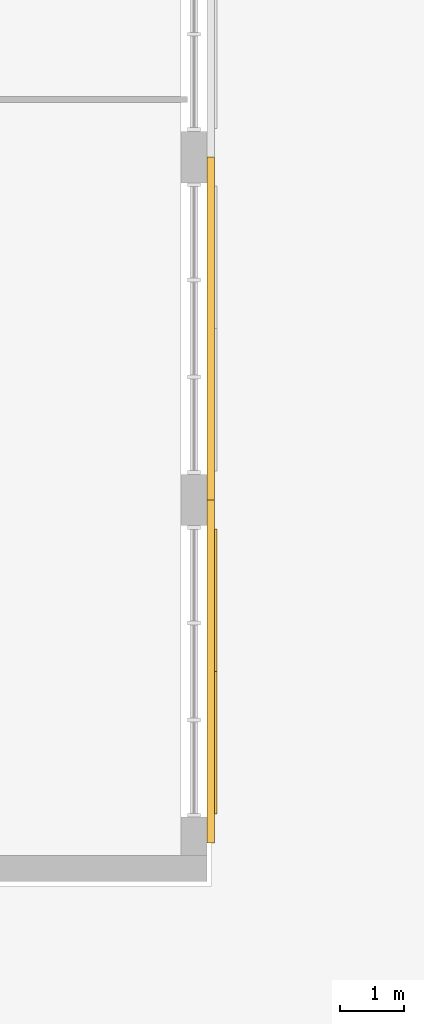
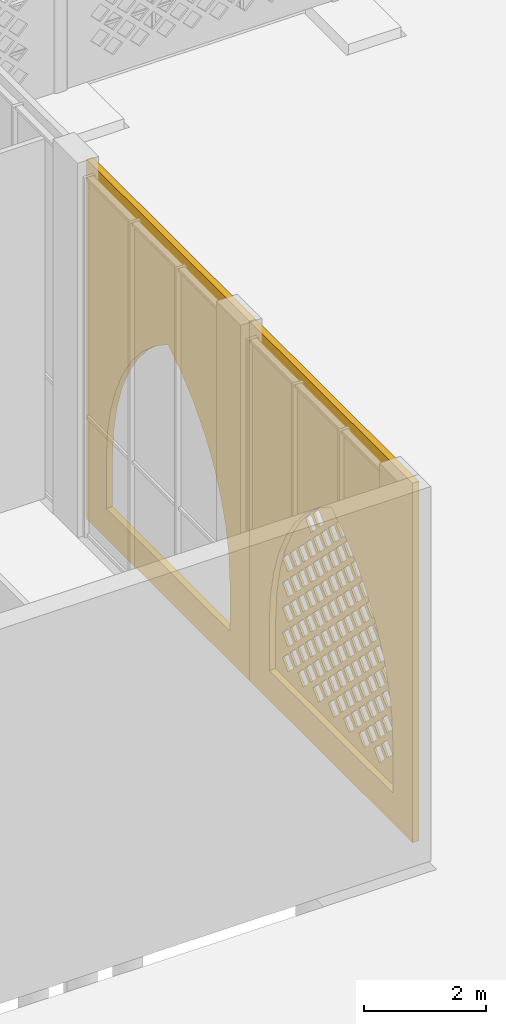
# One storey, part 56 of 79: 3 coverings.
"""IFC4 building model written with IfcOpenShell, lengths in metres."""

from ifc_helpers import new_model, si_unit, direction, frame, origin, place, context, subcontext, project, spatial, polyline, outline, extrude, material, layer, layer_set, type_object, element, save


model = new_model("IFC4")

# Units and contexts
model_context = context("Model", 3, precision=1e-05, world=origin(), true_north=direction((0.0, 1.0)))
body_context = subcontext(model_context, "Body", "Model", "MODEL_VIEW")
ifc_project = project(units=[si_unit("LENGTHUNIT", "METRE"), si_unit("AREAUNIT", "SQUARE_METRE"), si_unit("VOLUMEUNIT", "CUBIC_METRE"), si_unit("PLANEANGLEUNIT", "RADIAN"), si_unit("MASSUNIT", "GRAM", prefix="KILO")], contexts=[model_context])

# Site, building, storey
site_placement = place(None, origin())
site = spatial("IfcSite", under=ifc_project, at=site_placement, CompositionType="ELEMENT")
building_placement = place(site_placement, origin())
building = spatial("IfcBuilding", under=site, at=building_placement, Name="Noorbagh Ring Tower", CompositionType="ELEMENT")
storey_placement = place(building_placement, origin())
storey = spatial("IfcBuildingStorey", under=building, at=storey_placement, Name="L00", CompositionType="ELEMENT", Elevation=0.0)

# Coverings
ifc_material_1 = material(Name="Red sandstone jali", Category="masonry")
ifc_layer_1 = layer(ifc_material_1, 0.0400390625)
ifc_layer_set_1 = layer_set([ifc_layer_1], Name="Red sandstone jali")
covering_type_1 = type_object("IfcCoveringType", Name="STH-JALI", PredefinedType="USERDEFINED", material=ifc_layer_set_1)
covering_1_placement = place(storey_placement, frame((-94.840087890625, -19.949951171875, 0.39990234375), z_axis=(1.0, 0.0, 0.0), x_axis=(0.0, 1.0, 0.0)))
element("IfcCovering", 1, at=covering_1_placement, inside=storey, type_object=covering_type_1, Name="Jali screen", ObjectType="SCREEN", PredefinedType="USERDEFINED", context=body_context, shape_type="SweptSolid", body=[
    extrude(outline(polyline([(0.0, 0.0), (4.449951171875, 0.0), (4.449951171875, 1.0), (4.411865234375, 1.580810546875), (4.29833984375, 2.15185546875), (4.111328125, 2.702880859375), (3.853759765625, 3.22509765625), (3.5302734375, 3.708984375), (3.146484375, 4.146728515625), (2.708984375, 4.530517578125), (2.224853515625, 4.85400390625), (1.740966796875, 4.530517578125), (1.303466796875, 4.146728515625), (0.91943359375, 3.708984375), (0.59619140625, 3.22509765625), (0.338623046875, 2.702880859375), (0.151611328125, 2.15185546875), (0.0380859375, 1.580810546875), (0.0, 1.0), (0.0, 0.0)]), holes=[polyline([(0.669921875, 0.552001953125), (0.85009765625, 0.371826171875), (1.030029296875, 0.552001953125), (0.85009765625, 0.73193359375), (0.669921875, 0.552001953125)]), polyline([(1.169921875, 0.552001953125), (1.35009765625, 0.371826171875), (1.530029296875, 0.552001953125), (1.35009765625, 0.73193359375), (1.169921875, 0.552001953125)]), polyline([(1.669921875, 0.552001953125), (1.85009765625, 0.371826171875), (2.030029296875, 0.552001953125), (1.85009765625, 0.73193359375), (1.669921875, 0.552001953125)]), polyline([(2.169921875, 0.552001953125), (2.35009765625, 0.371826171875), (2.530029296875, 0.552001953125), (2.35009765625, 0.73193359375), (2.169921875, 0.552001953125)]), polyline([(2.669921875, 0.552001953125), (2.85009765625, 0.371826171875), (3.030029296875, 0.552001953125), (2.85009765625, 0.73193359375), (2.669921875, 0.552001953125)]), polyline([(3.169921875, 0.552001953125), (3.35009765625, 0.371826171875), (3.530029296875, 0.552001953125), (3.35009765625, 0.73193359375), (3.169921875, 0.552001953125)]), polyline([(3.669921875, 0.552001953125), (3.85009765625, 0.371826171875), (4.030029296875, 0.552001953125), (3.85009765625, 0.73193359375), (3.669921875, 0.552001953125)]), polyline([(0.419921875, 0.802001953125), (0.60009765625, 0.621826171875), (0.780029296875, 0.802001953125), (0.60009765625, 0.98193359375), (0.419921875, 0.802001953125)]), polyline([(0.919921875, 0.802001953125), (1.10009765625, 0.621826171875), (1.280029296875, 0.802001953125), (1.10009765625, 0.98193359375), (0.919921875, 0.802001953125)]), polyline([(1.419921875, 0.802001953125), (1.60009765625, 0.621826171875), (1.780029296875, 0.802001953125), (1.60009765625, 0.98193359375), (1.419921875, 0.802001953125)]), polyline([(1.919921875, 0.802001953125), (2.10009765625, 0.621826171875), (2.280029296875, 0.802001953125), (2.10009765625, 0.98193359375), (1.919921875, 0.802001953125)]), polyline([(2.419921875, 0.802001953125), (2.60009765625, 0.621826171875), (2.780029296875, 0.802001953125), (2.60009765625, 0.98193359375), (2.419921875, 0.802001953125)]), polyline([(2.919921875, 0.802001953125), (3.10009765625, 0.621826171875), (3.280029296875, 0.802001953125), (3.10009765625, 0.98193359375), (2.919921875, 0.802001953125)]), polyline([(3.419921875, 0.802001953125), (3.60009765625, 0.621826171875), (3.780029296875, 0.802001953125), (3.60009765625, 0.98193359375), (3.419921875, 0.802001953125)]), polyline([(0.669921875, 1.052001953125), (0.85009765625, 0.871826171875), (1.030029296875, 1.052001953125), (0.85009765625, 1.23193359375), (0.669921875, 1.052001953125)]), polyline([(1.169921875, 1.052001953125), (1.35009765625, 0.871826171875), (1.530029296875, 1.052001953125), (1.35009765625, 1.23193359375), (1.169921875, 1.052001953125)]), polyline([(1.669921875, 1.052001953125), (1.85009765625, 0.871826171875), (2.030029296875, 1.052001953125), (1.85009765625, 1.23193359375), (1.669921875, 1.052001953125)]), polyline([(2.169921875, 1.052001953125), (2.35009765625, 0.871826171875), (2.530029296875, 1.052001953125), (2.35009765625, 1.23193359375), (2.169921875, 1.052001953125)]), polyline([(2.669921875, 1.052001953125), (2.85009765625, 0.871826171875), (3.030029296875, 1.052001953125), (2.85009765625, 1.23193359375), (2.669921875, 1.052001953125)]), polyline([(3.169921875, 1.052001953125), (3.35009765625, 0.871826171875), (3.530029296875, 1.052001953125), (3.35009765625, 1.23193359375), (3.169921875, 1.052001953125)]), polyline([(3.669921875, 1.052001953125), (3.85009765625, 0.871826171875), (4.030029296875, 1.052001953125), (3.85009765625, 1.23193359375), (3.669921875, 1.052001953125)]), polyline([(0.419921875, 1.302001953125), (0.60009765625, 1.121826171875), (0.780029296875, 1.302001953125), (0.60009765625, 1.48193359375), (0.419921875, 1.302001953125)]), polyline([(0.919921875, 1.302001953125), (1.10009765625, 1.121826171875), (1.280029296875, 1.302001953125), (1.10009765625, 1.48193359375), (0.919921875, 1.302001953125)]), polyline([(1.419921875, 1.302001953125), (1.60009765625, 1.121826171875), (1.780029296875, 1.302001953125), (1.60009765625, 1.48193359375), (1.419921875, 1.302001953125)]), polyline([(1.919921875, 1.302001953125), (2.10009765625, 1.121826171875), (2.280029296875, 1.302001953125), (2.10009765625, 1.48193359375), (1.919921875, 1.302001953125)]), polyline([(2.419921875, 1.302001953125), (2.60009765625, 1.121826171875), (2.780029296875, 1.302001953125), (2.60009765625, 1.48193359375), (2.419921875, 1.302001953125)]), polyline([(2.919921875, 1.302001953125), (3.10009765625, 1.121826171875), (3.280029296875, 1.302001953125), (3.10009765625, 1.48193359375), (2.919921875, 1.302001953125)]), polyline([(3.419921875, 1.302001953125), (3.60009765625, 1.121826171875), (3.780029296875, 1.302001953125), (3.60009765625, 1.48193359375), (3.419921875, 1.302001953125)]), polyline([(0.669921875, 1.552001953125), (0.85009765625, 1.371826171875), (1.030029296875, 1.552001953125), (0.85009765625, 1.73193359375), (0.669921875, 1.552001953125)]), polyline([(1.169921875, 1.552001953125), (1.35009765625, 1.371826171875), (1.530029296875, 1.552001953125), (1.35009765625, 1.73193359375), (1.169921875, 1.552001953125)]), polyline([(1.669921875, 1.552001953125), (1.85009765625, 1.371826171875), (2.030029296875, 1.552001953125), (1.85009765625, 1.73193359375), (1.669921875, 1.552001953125)]), polyline([(2.169921875, 1.552001953125), (2.35009765625, 1.371826171875), (2.530029296875, 1.552001953125), (2.35009765625, 1.73193359375), (2.169921875, 1.552001953125)]), polyline([(2.669921875, 1.552001953125), (2.85009765625, 1.371826171875), (3.030029296875, 1.552001953125), (2.85009765625, 1.73193359375), (2.669921875, 1.552001953125)]), polyline([(3.169921875, 1.552001953125), (3.35009765625, 1.371826171875), (3.530029296875, 1.552001953125), (3.35009765625, 1.73193359375), (3.169921875, 1.552001953125)]), polyline([(3.669921875, 1.552001953125), (3.85009765625, 1.371826171875), (4.030029296875, 1.552001953125), (3.85009765625, 1.73193359375), (3.669921875, 1.552001953125)]), polyline([(0.419921875, 1.802001953125), (0.60009765625, 1.621826171875), (0.780029296875, 1.802001953125), (0.60009765625, 1.98193359375), (0.419921875, 1.802001953125)]), polyline([(0.919921875, 1.802001953125), (1.10009765625, 1.621826171875), (1.280029296875, 1.802001953125), (1.10009765625, 1.98193359375), (0.919921875, 1.802001953125)]), polyline([(1.419921875, 1.802001953125), (1.60009765625, 1.621826171875), (1.780029296875, 1.802001953125), (1.60009765625, 1.98193359375), (1.419921875, 1.802001953125)]), polyline([(1.919921875, 1.802001953125), (2.10009765625, 1.621826171875), (2.280029296875, 1.802001953125), (2.10009765625, 1.98193359375), (1.919921875, 1.802001953125)]), polyline([(2.419921875, 1.802001953125), (2.60009765625, 1.621826171875), (2.780029296875, 1.802001953125), (2.60009765625, 1.98193359375), (2.419921875, 1.802001953125)]), polyline([(2.919921875, 1.802001953125), (3.10009765625, 1.621826171875), (3.280029296875, 1.802001953125), (3.10009765625, 1.98193359375), (2.919921875, 1.802001953125)]), polyline([(3.419921875, 1.802001953125), (3.60009765625, 1.621826171875), (3.780029296875, 1.802001953125), (3.60009765625, 1.98193359375), (3.419921875, 1.802001953125)]), polyline([(0.669921875, 2.052001953125), (0.85009765625, 1.871826171875), (1.030029296875, 2.052001953125), (0.85009765625, 2.23193359375), (0.669921875, 2.052001953125)]), polyline([(1.169921875, 2.052001953125), (1.35009765625, 1.871826171875), (1.530029296875, 2.052001953125), (1.35009765625, 2.23193359375), (1.169921875, 2.052001953125)]), polyline([(1.669921875, 2.052001953125), (1.85009765625, 1.871826171875), (2.030029296875, 2.052001953125), (1.85009765625, 2.23193359375), (1.669921875, 2.052001953125)]), polyline([(2.169921875, 2.052001953125), (2.35009765625, 1.871826171875), (2.530029296875, 2.052001953125), (2.35009765625, 2.23193359375), (2.169921875, 2.052001953125)]), polyline([(2.669921875, 2.052001953125), (2.85009765625, 1.871826171875), (3.030029296875, 2.052001953125), (2.85009765625, 2.23193359375), (2.669921875, 2.052001953125)]), polyline([(3.169921875, 2.052001953125), (3.35009765625, 1.871826171875), (3.530029296875, 2.052001953125), (3.35009765625, 2.23193359375), (3.169921875, 2.052001953125)]), polyline([(3.669921875, 2.052001953125), (3.85009765625, 1.871826171875), (4.030029296875, 2.052001953125), (3.85009765625, 2.23193359375), (3.669921875, 2.052001953125)]), polyline([(0.419921875, 2.302001953125), (0.60009765625, 2.121826171875), (0.780029296875, 2.302001953125), (0.60009765625, 2.48193359375), (0.419921875, 2.302001953125)]), polyline([(0.919921875, 2.302001953125), (1.10009765625, 2.121826171875), (1.280029296875, 2.302001953125), (1.10009765625, 2.48193359375), (0.919921875, 2.302001953125)]), polyline([(1.419921875, 2.302001953125), (1.60009765625, 2.121826171875), (1.780029296875, 2.302001953125), (1.60009765625, 2.48193359375), (1.419921875, 2.302001953125)]), polyline([(1.919921875, 2.302001953125), (2.10009765625, 2.121826171875), (2.280029296875, 2.302001953125), (2.10009765625, 2.48193359375), (1.919921875, 2.302001953125)]), polyline([(2.419921875, 2.302001953125), (2.60009765625, 2.121826171875), (2.780029296875, 2.302001953125), (2.60009765625, 2.48193359375), (2.419921875, 2.302001953125)]), polyline([(2.919921875, 2.302001953125), (3.10009765625, 2.121826171875), (3.280029296875, 2.302001953125), (3.10009765625, 2.48193359375), (2.919921875, 2.302001953125)]), polyline([(3.419921875, 2.302001953125), (3.60009765625, 2.121826171875), (3.780029296875, 2.302001953125), (3.60009765625, 2.48193359375), (3.419921875, 2.302001953125)]), polyline([(0.669921875, 2.552001953125), (0.85009765625, 2.371826171875), (1.030029296875, 2.552001953125), (0.85009765625, 2.73193359375), (0.669921875, 2.552001953125)]), polyline([(1.169921875, 2.552001953125), (1.35009765625, 2.371826171875), (1.530029296875, 2.552001953125), (1.35009765625, 2.73193359375), (1.169921875, 2.552001953125)]), polyline([(1.669921875, 2.552001953125), (1.85009765625, 2.371826171875), (2.030029296875, 2.552001953125), (1.85009765625, 2.73193359375), (1.669921875, 2.552001953125)]), polyline([(2.169921875, 2.552001953125), (2.35009765625, 2.371826171875), (2.530029296875, 2.552001953125), (2.35009765625, 2.73193359375), (2.169921875, 2.552001953125)]), polyline([(2.669921875, 2.552001953125), (2.85009765625, 2.371826171875), (3.030029296875, 2.552001953125), (2.85009765625, 2.73193359375), (2.669921875, 2.552001953125)]), polyline([(3.169921875, 2.552001953125), (3.35009765625, 2.371826171875), (3.530029296875, 2.552001953125), (3.35009765625, 2.73193359375), (3.169921875, 2.552001953125)]), polyline([(3.669921875, 2.552001953125), (3.85009765625, 2.371826171875), (4.030029296875, 2.552001953125), (3.85009765625, 2.73193359375), (3.669921875, 2.552001953125)]), polyline([(0.919921875, 2.802001953125), (1.10009765625, 2.621826171875), (1.280029296875, 2.802001953125), (1.10009765625, 2.98193359375), (0.919921875, 2.802001953125)]), polyline([(1.419921875, 2.802001953125), (1.60009765625, 2.621826171875), (1.780029296875, 2.802001953125), (1.60009765625, 2.98193359375), (1.419921875, 2.802001953125)]), polyline([(1.919921875, 2.802001953125), (2.10009765625, 2.621826171875), (2.280029296875, 2.802001953125), (2.10009765625, 2.98193359375), (1.919921875, 2.802001953125)]), polyline([(2.419921875, 2.802001953125), (2.60009765625, 2.621826171875), (2.780029296875, 2.802001953125), (2.60009765625, 2.98193359375), (2.419921875, 2.802001953125)]), polyline([(2.919921875, 2.802001953125), (3.10009765625, 2.621826171875), (3.280029296875, 2.802001953125), (3.10009765625, 2.98193359375), (2.919921875, 2.802001953125)]), polyline([(3.419921875, 2.802001953125), (3.60009765625, 2.621826171875), (3.780029296875, 2.802001953125), (3.60009765625, 2.98193359375), (3.419921875, 2.802001953125)]), polyline([(0.669921875, 3.052001953125), (0.85009765625, 2.871826171875), (1.030029296875, 3.052001953125), (0.85009765625, 3.23193359375), (0.669921875, 3.052001953125)]), polyline([(1.169921875, 3.052001953125), (1.35009765625, 2.871826171875), (1.530029296875, 3.052001953125), (1.35009765625, 3.23193359375), (1.169921875, 3.052001953125)]), polyline([(1.669921875, 3.052001953125), (1.85009765625, 2.871826171875), (2.030029296875, 3.052001953125), (1.85009765625, 3.23193359375), (1.669921875, 3.052001953125)]), polyline([(2.169921875, 3.052001953125), (2.35009765625, 2.871826171875), (2.530029296875, 3.052001953125), (2.35009765625, 3.23193359375), (2.169921875, 3.052001953125)]), polyline([(2.669921875, 3.052001953125), (2.85009765625, 2.871826171875), (3.030029296875, 3.052001953125), (2.85009765625, 3.23193359375), (2.669921875, 3.052001953125)]), polyline([(3.169921875, 3.052001953125), (3.35009765625, 2.871826171875), (3.530029296875, 3.052001953125), (3.35009765625, 3.23193359375), (3.169921875, 3.052001953125)]), polyline([(0.919921875, 3.302001953125), (1.10009765625, 3.121826171875), (1.280029296875, 3.302001953125), (1.10009765625, 3.48193359375), (0.919921875, 3.302001953125)]), polyline([(1.419921875, 3.302001953125), (1.60009765625, 3.121826171875), (1.780029296875, 3.302001953125), (1.60009765625, 3.48193359375), (1.419921875, 3.302001953125)]), polyline([(1.919921875, 3.302001953125), (2.10009765625, 3.121826171875), (2.280029296875, 3.302001953125), (2.10009765625, 3.48193359375), (1.919921875, 3.302001953125)]), polyline([(2.419921875, 3.302001953125), (2.60009765625, 3.121826171875), (2.780029296875, 3.302001953125), (2.60009765625, 3.48193359375), (2.419921875, 3.302001953125)]), polyline([(2.919921875, 3.302001953125), (3.10009765625, 3.121826171875), (3.280029296875, 3.302001953125), (3.10009765625, 3.48193359375), (2.919921875, 3.302001953125)]), polyline([(1.169921875, 3.552001953125), (1.35009765625, 3.371826171875), (1.530029296875, 3.552001953125), (1.35009765625, 3.73193359375), (1.169921875, 3.552001953125)]), polyline([(1.669921875, 3.552001953125), (1.85009765625, 3.371826171875), (2.030029296875, 3.552001953125), (1.85009765625, 3.73193359375), (1.669921875, 3.552001953125)]), polyline([(2.169921875, 3.552001953125), (2.35009765625, 3.371826171875), (2.530029296875, 3.552001953125), (2.35009765625, 3.73193359375), (2.169921875, 3.552001953125)]), polyline([(2.669921875, 3.552001953125), (2.85009765625, 3.371826171875), (3.030029296875, 3.552001953125), (2.85009765625, 3.73193359375), (2.669921875, 3.552001953125)]), polyline([(1.419921875, 3.802001953125), (1.60009765625, 3.621826171875), (1.780029296875, 3.802001953125), (1.60009765625, 3.98193359375), (1.419921875, 3.802001953125)]), polyline([(1.919921875, 3.802001953125), (2.10009765625, 3.621826171875), (2.280029296875, 3.802001953125), (2.10009765625, 3.98193359375), (1.919921875, 3.802001953125)]), polyline([(2.419921875, 3.802001953125), (2.60009765625, 3.621826171875), (2.780029296875, 3.802001953125), (2.60009765625, 3.98193359375), (2.419921875, 3.802001953125)]), polyline([(2.919921875, 3.802001953125), (3.10009765625, 3.621826171875), (3.280029296875, 3.802001953125), (3.10009765625, 3.98193359375), (2.919921875, 3.802001953125)]), polyline([(1.669921875, 4.052001953125), (1.85009765625, 3.871826171875), (2.030029296875, 4.052001953125), (1.85009765625, 4.23193359375), (1.669921875, 4.052001953125)]), polyline([(2.169921875, 4.052001953125), (2.35009765625, 3.871826171875), (2.530029296875, 4.052001953125), (2.35009765625, 4.23193359375), (2.169921875, 4.052001953125)]), polyline([(2.669921875, 4.052001953125), (2.85009765625, 3.871826171875), (3.030029296875, 4.052001953125), (2.85009765625, 4.23193359375), (2.669921875, 4.052001953125)]), polyline([(1.919921875, 4.302001953125), (2.10009765625, 4.121826171875), (2.280029296875, 4.302001953125), (2.10009765625, 4.48193359375), (1.919921875, 4.302001953125)])]), origin(), (0.0, 0.0, -1.0), 0.0400390625),
])
ifc_material_2 = material(Name="Red sandstone cladding", Category="masonry")
ifc_layer_2 = layer(ifc_material_2, 0.1201171875)
ifc_layer_set_2 = layer_set([ifc_layer_2], Name="Red sandstone cladding")
covering_type_2 = type_object("IfcCoveringType", Name="STH-SPANDREL", PredefinedType="USERDEFINED", material=ifc_layer_set_2)
covering_2_placement = place(storey_placement, frame((-94.8798828125, -20.39990234375, 0.0), z_axis=(1.0, 0.0, 0.0), x_axis=(0.0, 1.0, 0.0)))
element("IfcCovering", 2, at=covering_2_placement, inside=storey, type_object=covering_type_2, Name="Arch spandrel", ObjectType="ARCH", PredefinedType="USERDEFINED", context=body_context, shape_type="SweptSolid", body=[
    extrude(outline(polyline([(0.0, 0.0), (5.349853515625, 0.0), (5.349853515625, 7.199951171875), (0.0, 7.199951171875), (0.0, 0.0)]), holes=[polyline([(0.64990234375, 0.60009765625), (0.64990234375, 1.60009765625), (0.6845703125, 2.128662109375), (0.7880859375, 2.648193359375), (0.958251953125, 3.14990234375), (1.192626953125, 3.625), (1.48681640625, 4.0654296875), (1.836181640625, 4.4638671875), (2.234619140625, 4.81298828125), (2.675048828125, 5.107421875), (3.115478515625, 4.81298828125), (3.513916015625, 4.4638671875), (3.863037109375, 4.0654296875), (4.157470703125, 3.625), (4.3916015625, 3.14990234375), (4.56201171875, 2.648193359375), (4.665283203125, 2.128662109375), (4.699951171875, 1.60009765625), (4.699951171875, 0.60009765625), (0.64990234375, 0.60009765625)])]), origin(), (0.0, 0.0, -1.0), 0.1201171875),
])
covering_3_placement = place(storey_placement, frame((-94.8798828125, -15.050048828125, 0.0), z_axis=(1.0, 0.0, 0.0), x_axis=(0.0, 1.0, 0.0)))
element("IfcCovering", 3, at=covering_3_placement, inside=storey, type_object=covering_type_2, Name="Arch spandrel", ObjectType="ARCH", PredefinedType="USERDEFINED", context=body_context, shape_type="SweptSolid", body=[
    extrude(outline(polyline([(0.0, 0.0), (5.35009765625, 0.0), (5.35009765625, 7.199951171875), (0.0, 7.199951171875), (0.0, 0.0)]), holes=[polyline([(0.64990234375, 0.60009765625), (0.64990234375, 1.60009765625), (0.6845703125, 2.128662109375), (0.7880859375, 2.648193359375), (0.958251953125, 3.14990234375), (1.192626953125, 3.625), (1.48681640625, 4.0654296875), (1.836181640625, 4.4638671875), (2.234619140625, 4.81298828125), (2.675048828125, 5.107421875), (3.115478515625, 4.81298828125), (3.513916015625, 4.4638671875), (3.863037109375, 4.0654296875), (4.157470703125, 3.625), (4.3916015625, 3.14990234375), (4.56201171875, 2.648193359375), (4.665283203125, 2.128662109375), (4.699951171875, 1.60009765625), (4.699951171875, 0.60009765625), (0.64990234375, 0.60009765625)])]), origin(), (0.0, 0.0, -1.0), 0.1201171875),
])

save(model, "model.ifc")
